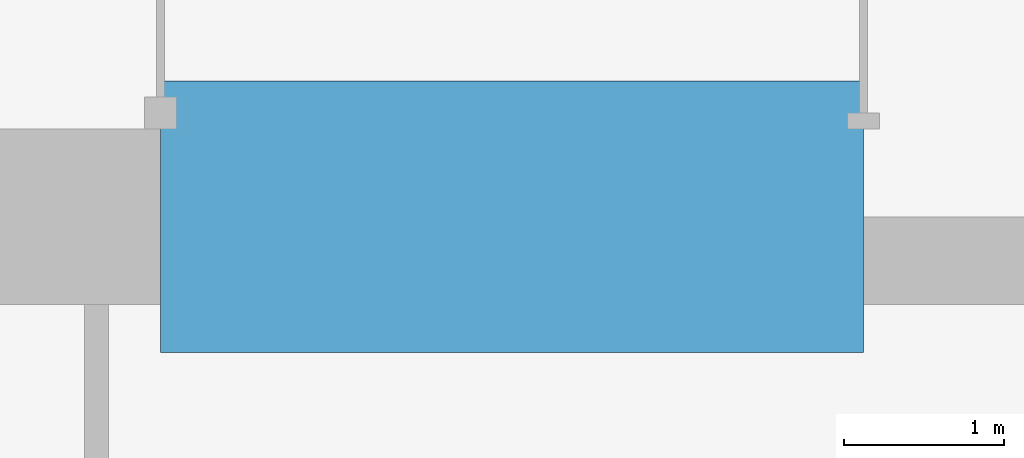
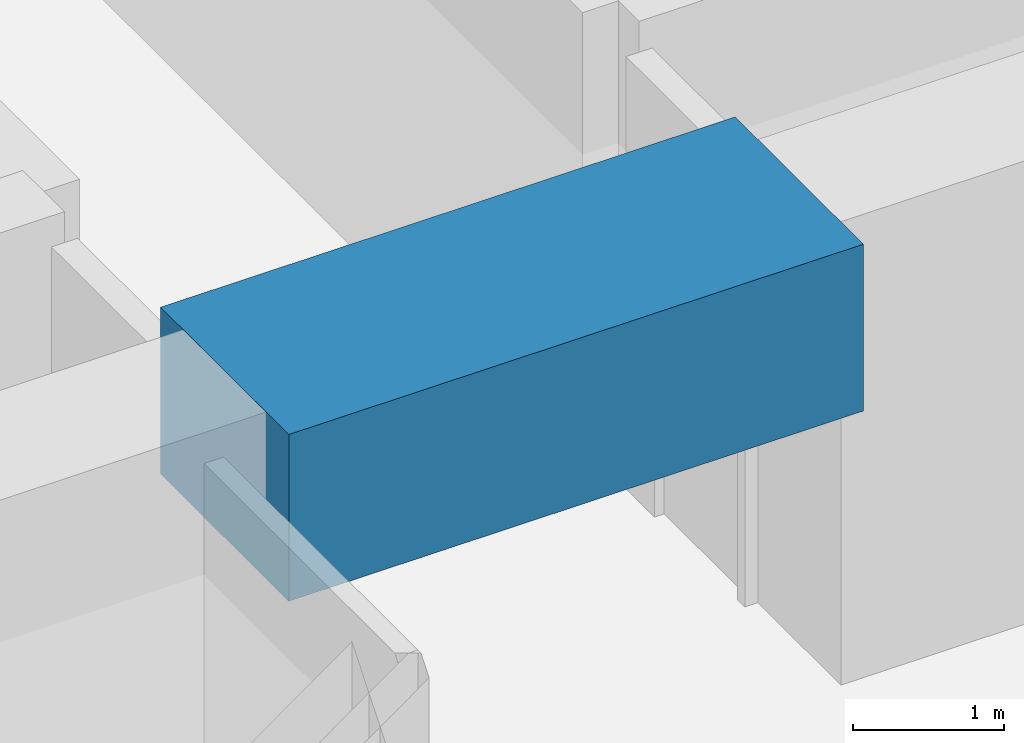
# One storey, part 13 of 46: 1 beam.
"""IFC4 building model written with IfcOpenShell, lengths in metres."""

from ifc_helpers import new_model, si_unit, direction, frame, origin, origin_2d, place, context, subcontext, project, spatial, rectangle, extrude, material, material_profile, profile_set, type_object, element, save


model = new_model("IFC4")

# Units and contexts
model_context = context("Model", 3, precision=1e-05, world=origin(), true_north=direction((0.0, 1.0)))
body_context = subcontext(model_context, "Body", "Model", "MODEL_VIEW")
ifc_project = project(units=[si_unit("LENGTHUNIT", "METRE"), si_unit("AREAUNIT", "SQUARE_METRE"), si_unit("VOLUMEUNIT", "CUBIC_METRE"), si_unit("PLANEANGLEUNIT", "RADIAN"), si_unit("MASSUNIT", "GRAM", prefix="KILO")], contexts=[model_context])

# Site, building, storey
site_placement = place(None, origin())
site = spatial("IfcSite", under=ifc_project, at=site_placement, CompositionType="ELEMENT")
building_placement = place(site_placement, origin())
building = spatial("IfcBuilding", under=site, at=building_placement, Name="Rekha Terrace Tower", CompositionType="ELEMENT")
storey_placement = place(building_placement, frame((0.0, 0.0, 29.14990234375)))
storey = spatial("IfcBuildingStorey", under=building, at=storey_placement, Name="L06", CompositionType="ELEMENT", Elevation=29.14990234375)

# Beam
ifc_material = material(Name="Concrete M70", Category="concrete")
ifc_material_profile = material_profile(ifc_material, rectangle(XDim=1.699951171875, YDim=1.35009765625, at=origin_2d()), Name="RC 1700x1350")
ifc_profile_set = profile_set([ifc_material_profile], Name="Concrete M70")
beam_type = type_object("IfcBeamType", Name="LB1A 1700x1350 diagonally reinforced coupling beam", PredefinedType="LINTEL", material=ifc_profile_set)
beam_placement = place(storey_placement, frame((35.60009765625, 21.0, 3.0751953125), z_axis=(1.0, 0.0, 0.0), x_axis=(0.0, 1.0, 0.0)))
element("IfcBeam", 1, at=beam_placement, inside=storey, type_object=beam_type, Name="Coupling beam LB1A S L06", PredefinedType="LINTEL", context=body_context, shape_type="SweptSolid", body=[
    extrude(rectangle(XDim=1.699951171875, YDim=1.35009765625, at=origin_2d()), origin(), (0.0, 0.0, 1.0), 4.39990234375),
])

save(model, "model.ifc")
